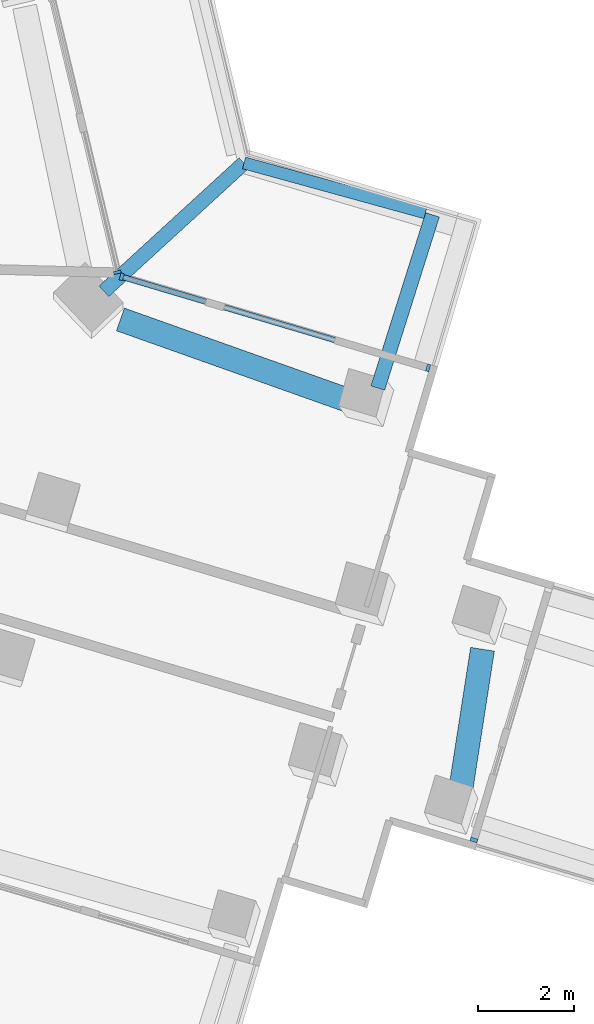
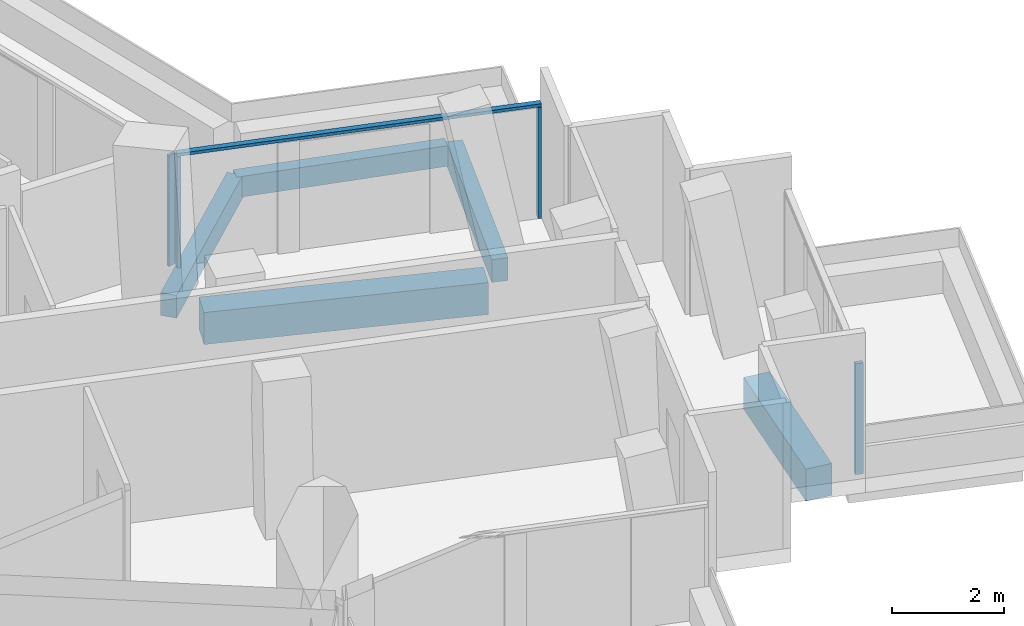
# One storey, part 6 of 27: 5 beams, 5 members, 3 elements without a shape of their own.
"""IFC4 building model written with IfcOpenShell, lengths in metres."""

from ifc_helpers import new_model, si_unit, direction, frame, origin, origin_2d, place, context, subcontext, project, spatial, rectangle, extrude, material, layer, layer_set, material_profile, profile_set, type_object, element, aggregate, save


model = new_model("IFC4")

# Units and contexts
model_context = context("Model", 3, precision=1e-05, world=origin(), true_north=direction((0.0, 1.0)))
body_context = subcontext(model_context, "Body", "Model", "MODEL_VIEW")
ifc_project = project(units=[si_unit("LENGTHUNIT", "METRE"), si_unit("AREAUNIT", "SQUARE_METRE"), si_unit("VOLUMEUNIT", "CUBIC_METRE"), si_unit("PLANEANGLEUNIT", "RADIAN"), si_unit("MASSUNIT", "GRAM", prefix="KILO")], contexts=[model_context])

# Site, building, storey
site_placement = place(None, origin())
site = spatial("IfcSite", under=ifc_project, at=site_placement, CompositionType="ELEMENT")
building_placement = place(site_placement, origin())
building = spatial("IfcBuilding", under=site, at=building_placement, Name="Verdalira Terraces Hotel", CompositionType="ELEMENT")
storey_placement = place(building_placement, frame((0.0, 0.0, 89.5)))
storey = spatial("IfcBuildingStorey", under=building, at=storey_placement, Name="L20", CompositionType="ELEMENT", Elevation=89.5)

# Beams
ifc_material_1 = material(Name="Concrete C40", Category="concrete")
ifc_material_profile_1 = material_profile(ifc_material_1, rectangle(XDim=0.300049, YDim=0.5, at=origin_2d()), Name="RC 300X500")
ifc_profile_set_1 = profile_set([ifc_material_profile_1], Name="Concrete C40")
beam_type_1 = type_object("IfcBeamType", Name="Balcony cantilever beam RC 300X500 C40", PredefinedType="BEAM", material=ifc_profile_set_1)
beam_1_placement = place(storey_placement, frame((30.438965, -3.078857, -0.560059), z_axis=(0.301038535, 0.953611976, 0.0), x_axis=(-0.953611976, 0.301038535, 0.0)))
element("IfcBeam", 1, at=beam_1_placement, inside=storey, type_object=beam_type_1, Name="Balcony cantilever beam R38-1", PredefinedType="BEAM", context=body_context, shape_type="SweptSolid", body=[
    extrude(rectangle(XDim=0.300049, YDim=0.5, at=origin_2d()), origin(), (0.0, 0.0, 1.0), 3.775879),
])
beam_2_placement = place(storey_placement, frame((24.746826, -1.067139, -0.560059), z_axis=(0.737482447, 0.675366301, 0.0), x_axis=(-0.675366301, 0.737482447, 0.0)))
element("IfcBeam", 2, at=beam_2_placement, inside=storey, type_object=beam_type_1, Name="Balcony cantilever beam R38-2", PredefinedType="BEAM", context=body_context, shape_type="SweptSolid", body=[
    extrude(rectangle(XDim=0.300049, YDim=0.5, at=origin_2d()), origin(), (0.0, 0.0, 1.0), 3.949951),
])
ifc_material_2 = material(Name="Concrete C40", Category="concrete")
ifc_material_profile_2 = material_profile(ifc_material_2, rectangle(XDim=0.25, YDim=0.449951, at=origin_2d()), Name="RC 250X450")
ifc_profile_set_2 = profile_set([ifc_material_profile_2], Name="Concrete C40")
beam_type_2 = type_object("IfcBeamType", Name="Balcony edge beam RC 250X450 C40", PredefinedType="BEAM", material=ifc_profile_set_2)
beam_3_placement = place(storey_placement, frame((31.430908, 0.562012, -0.534912), z_axis=(-0.964103989, 0.265524949, 0.0), x_axis=(-0.265524949, -0.964103989, 0.0)))
element("IfcBeam", 3, at=beam_3_placement, inside=storey, type_object=beam_type_2, Name="Balcony edge beam R38-1", PredefinedType="BEAM", context=body_context, shape_type="SweptSolid", body=[
    extrude(rectangle(XDim=0.25, YDim=0.449951, at=origin_2d()), origin(), (0.0, 0.0, 1.0), 3.911377),
])

# Curtain wall, member
ifc_material_3 = material(Name="Clear glass", Category="glass")
ifc_layer_1 = layer(ifc_material_3, 0.14990234375)
ifc_layer_set_1 = layer_set([ifc_layer_1], Name="CW1 curtain wall")
curtain_wall_type_1 = type_object("IfcCurtainWallType", Name="CW1 curtain wall", PredefinedType="NOTDEFINED", material=ifc_layer_set_1)
curtain_wall_1_placement = place(storey_placement, origin())
curtain_wall_1 = element("IfcCurtainWall", 4, at=curtain_wall_1_placement, inside=storey, type_object=curtain_wall_type_1, Name="CW1 curtain wall L20 edge 39", PredefinedType="NOTDEFINED")
ifc_material_4 = material(Name="Terracotta frame", Category="masonry")
ifc_material_profile_3 = material_profile(ifc_material_4, rectangle(XDim=0.060059, YDim=0.149902, at=origin_2d()), Name="MU 60x150")
ifc_profile_set_3 = profile_set([ifc_material_profile_3], Name="Terracotta frame")
member_type_1 = type_object("IfcMemberType", Name="CW1 mullion 60x150", PredefinedType="MULLION", material=ifc_profile_set_3)
member_1_placement = place(storey_placement, frame((25.024902, -0.671875, 0.0), z_axis=(0.0, 0.0, 1.0), x_axis=(-0.232426973, 0.972613851, 0.0)))
member_1 = element("IfcMember", 5, at=member_1_placement, type_object=member_type_1, Name="CW1 mullion", PredefinedType="MULLION", context=body_context, shape_type="SweptSolid", body=[
    extrude(rectangle(XDim=0.060059, YDim=0.149902, at=origin_2d()), origin(), (0.0, 0.0, 1.0), 2.425049),
])
aggregate(curtain_wall_1, [member_1])

# Curtain wall, members
ifc_material_5 = material(Name="Clear glass", Category="glass")
ifc_layer_2 = layer(ifc_material_5, 0.14990234375)
ifc_layer_set_2 = layer_set([ifc_layer_2], Name="CW2 curtain wall")
curtain_wall_type_2 = type_object("IfcCurtainWallType", Name="CW2 curtain wall", PredefinedType="NOTDEFINED", material=ifc_layer_set_2)
curtain_wall_2_placement = place(storey_placement, origin())
curtain_wall_2 = element("IfcCurtainWall", 6, at=curtain_wall_2_placement, inside=storey, type_object=curtain_wall_type_2, Name="CW2 curtain wall L20 edge 38", PredefinedType="NOTDEFINED")
ifc_material_6 = material(Name="Terracotta frame", Category="masonry")
ifc_material_profile_4 = material_profile(ifc_material_6, rectangle(XDim=0.070068, YDim=0.149902, at=origin_2d()), Name="MU 70x150")
ifc_profile_set_4 = profile_set([ifc_material_profile_4], Name="Terracotta frame")
member_type_2 = type_object("IfcMemberType", Name="CW2 mullion 70x150", PredefinedType="MULLION", material=ifc_profile_set_4)
member_2_placement = place(storey_placement, frame((31.486084, -2.659424, 0.0), z_axis=(0.0, 0.0, 1.0), x_axis=(-0.958521789, 0.285019262, 0.0)))
member_2 = element("IfcMember", 7, at=member_2_placement, type_object=member_type_2, Name="CW2 mullion", PredefinedType="MULLION", context=body_context, shape_type="SweptSolid", body=[
    extrude(rectangle(XDim=0.070068, YDim=0.149902, at=origin_2d()), origin(), (0.0, 0.0, 1.0), 2.425049),
])
member_3_placement = place(storey_placement, frame((25.116943, -0.765625, 0.0), z_axis=(0.0, 0.0, 1.0), x_axis=(-0.958521789, 0.285019262, 0.0)))
member_3 = element("IfcMember", 8, at=member_3_placement, type_object=member_type_2, Name="CW2 mullion", PredefinedType="MULLION", context=body_context, shape_type="SweptSolid", body=[
    extrude(rectangle(XDim=0.070068, YDim=0.149902, at=origin_2d()), origin(), (0.0, 0.0, 1.0), 2.425049),
])
ifc_material_7 = material(Name="Terracotta frame", Category="masonry")
ifc_material_profile_5 = material_profile(ifc_material_7, rectangle(XDim=0.11499, YDim=0.064941, at=origin_2d()), Name="TR 65x115")
ifc_profile_set_5 = profile_set([ifc_material_profile_5], Name="Terracotta frame")
member_type_3 = type_object("IfcMemberType", Name="CW2 transom 65x115", PredefinedType="USERDEFINED", material=ifc_profile_set_5)
member_4_placement = place(storey_placement, frame((31.519775, -2.669434, 2.45752), z_axis=(-0.958522934, 0.285015411, 0.0), x_axis=(-0.285015411, -0.958522934, 0.0)))
member_4 = element("IfcMember", 9, at=member_4_placement, type_object=member_type_3, Name="CW2 transom", ObjectType="TRANSOM", PredefinedType="USERDEFINED", context=body_context, shape_type="SweptSolid", body=[
    extrude(rectangle(XDim=0.11499, YDim=0.064941, at=origin_2d()), origin(), (0.0, 0.0, 1.0), 6.714844),
])
aggregate(curtain_wall_2, [member_2, member_3, member_4])

# Curtain wall, member
ifc_material_8 = material(Name="Clear glass", Category="glass")
ifc_layer_3 = layer(ifc_material_8, 0.14990234375)
ifc_layer_set_3 = layer_set([ifc_layer_3], Name="CW3 curtain wall")
curtain_wall_type_3 = type_object("IfcCurtainWallType", Name="CW3 curtain wall", PredefinedType="NOTDEFINED", material=ifc_layer_set_3)
curtain_wall_3_placement = place(storey_placement, origin())
curtain_wall_3 = element("IfcCurtainWall", 10, at=curtain_wall_3_placement, inside=storey, type_object=curtain_wall_type_3, Name="CW3 curtain wall L20 edge 33", PredefinedType="NOTDEFINED")
ifc_material_9 = material(Name="Terracotta frame", Category="masonry")
ifc_material_profile_6 = material_profile(ifc_material_9, rectangle(XDim=0.080078, YDim=0.149902, at=origin_2d()), Name="MU 80x150")
ifc_profile_set_6 = profile_set([ifc_material_profile_6], Name="Terracotta frame")
member_type_4 = type_object("IfcMemberType", Name="CW3 mullion 80x150", PredefinedType="MULLION", material=ifc_profile_set_6)
member_5_placement = place(storey_placement, frame((32.438477, -12.4729, 0.0), z_axis=(0.0, 0.0, 1.0), x_axis=(0.285019262, 0.958521789, 0.0)))
member_5 = element("IfcMember", 11, at=member_5_placement, type_object=member_type_4, Name="CW3 mullion", PredefinedType="MULLION", context=body_context, shape_type="SweptSolid", body=[
    extrude(rectangle(XDim=0.080078, YDim=0.149902, at=origin_2d()), origin(), (0.0, 0.0, 1.0), 2.425049),
])
aggregate(curtain_wall_3, [member_5])

# Beams
ifc_material_10 = material(Name="Concrete C70", Category="concrete")
ifc_material_profile_7 = material_profile(ifc_material_10, rectangle(XDim=0.5, YDim=0.699951, at=origin_2d()), Name="RC 500X700")
ifc_profile_set_7 = profile_set([ifc_material_profile_7], Name="Concrete C70")
beam_type_3 = type_object("IfcBeamType", Name="Spandrel beam RC 500X700 C70", PredefinedType="SPANDREL", material=ifc_profile_set_7)
beam_4_placement = place(storey_placement, frame((32.144287, -11.548096, -0.659912), z_axis=(0.153178317, 0.988198565, 0.0), x_axis=(-0.988198565, 0.153178317, 0.0)))
element("IfcBeam", 12, at=beam_4_placement, inside=storey, type_object=beam_type_3, Name="Spandrel beam B22", PredefinedType="SPANDREL", context=body_context, shape_type="SweptSolid", body=[
    extrude(rectangle(XDim=0.5, YDim=0.699951, at=origin_2d()), origin(), (0.0, 0.0, 1.0), 3.076172),
])
beam_5_placement = place(storey_placement, frame((29.972168, -3.387939, -0.659912), z_axis=(-0.942255664, 0.334894408, 0.0), x_axis=(-0.334894408, -0.942255664, 0.0)))
element("IfcBeam", 13, at=beam_5_placement, inside=storey, type_object=beam_type_3, Name="Spandrel beam B23", PredefinedType="SPANDREL", context=body_context, shape_type="SweptSolid", body=[
    extrude(rectangle(XDim=0.5, YDim=0.699951, at=origin_2d()), origin(), (0.0, 0.0, 1.0), 5.181885),
])

save(model, "model.ifc")
